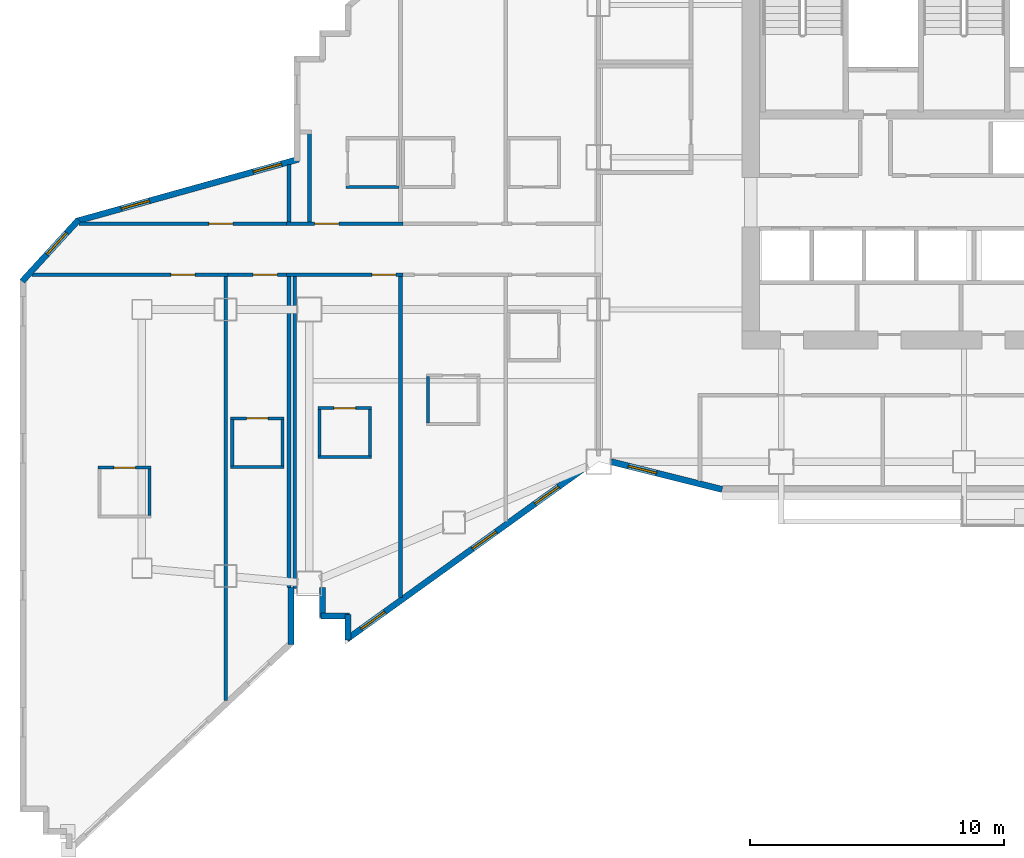
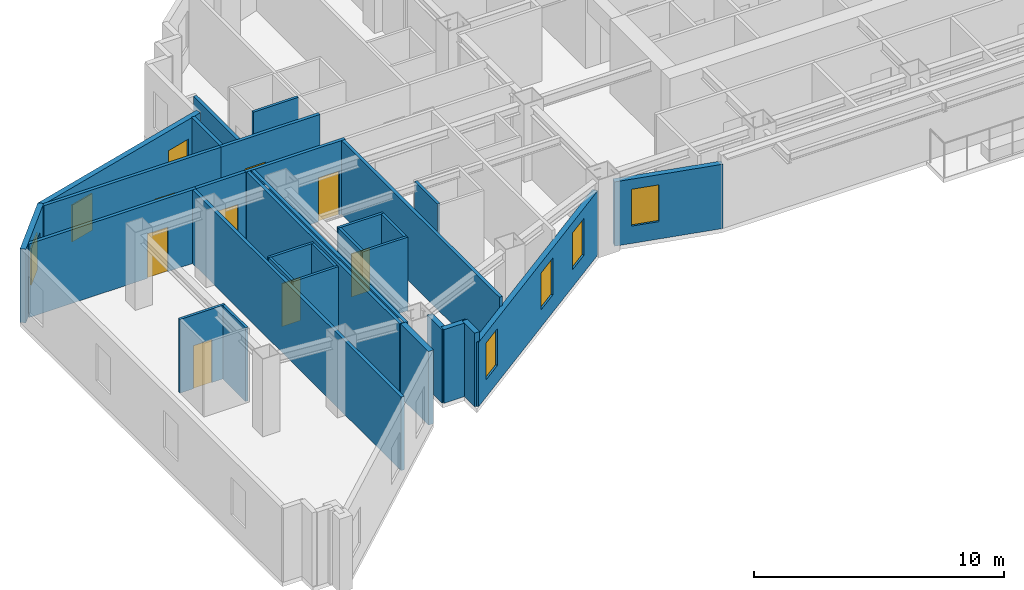
# One storey, part 7 of 15: 31 walls, 8 doors, 7 windows, 15 openings.
"""IFC4 building model written with IfcOpenShell, lengths in metres."""

from ifc_helpers import new_model, si_unit, direction, frame, frame_2d, origin, place, context, subcontext, project, spatial, rectangle, extrude, material, layer, layer_set, type_object, element, fill, save


model = new_model("IFC4")

# Units and contexts
model_context = context("Model", 3, precision=1e-05, world=origin(), true_north=direction((0.0, 1.0)))
body_context = subcontext(model_context, "Body", "Model", "MODEL_VIEW")
ifc_project = project(units=[si_unit("LENGTHUNIT", "METRE"), si_unit("AREAUNIT", "SQUARE_METRE"), si_unit("VOLUMEUNIT", "CUBIC_METRE"), si_unit("PLANEANGLEUNIT", "RADIAN"), si_unit("MASSUNIT", "GRAM", prefix="KILO")], contexts=[model_context])

# Site, building, storey
site_placement = place(None, origin())
site = spatial("IfcSite", under=ifc_project, at=site_placement, CompositionType="ELEMENT")
building_placement = place(site_placement, origin())
building = spatial("IfcBuilding", under=site, at=building_placement, Name="Haolan Belvedere Tower", CompositionType="ELEMENT")
storey_placement = place(building_placement, frame((0.0, 0.0, 152.39990234375)))
storey = spatial("IfcBuildingStorey", under=building, at=storey_placement, Name="L38", CompositionType="ELEMENT", Elevation=152.39990234375)

# Walls
ifc_material_1 = material(Name="Precast concrete C40/50", Category="concrete")
ifc_layer_1 = layer(ifc_material_1, 0.239990234375, Name="Precast concrete C40/50")
ifc_layer_set_1 = layer_set([ifc_layer_1], Name="Precast concrete C40/50")
wall_type_1 = type_object("IfcWallType", Name="WL-EXT-240", PredefinedType="SOLIDWALL", material=ifc_layer_set_1)
wall_1_placement = place(storey_placement, frame((13.1201171875, 16.639892578125, 0.0), z_axis=(0.0, 0.0, 1.0), x_axis=(0.0, -1.0, 0.0)))
element("IfcWall", 1, at=wall_1_placement, inside=storey, type_object=wall_type_1, Name="L38 pale-metal exterior spandrel wall 2.1", PredefinedType="SOLIDWALL", context=body_context, shape_type="SweptSolid", body=[
    extrude(rectangle(XDim=1.1748046875, YDim=0.239990234375, at=frame_2d((0.58740234375, 0.0))), origin(), (0.0, 0.0, 1.0), 3.60009765625),
])
wall_2_placement = place(storey_placement, frame((13.06494140625, 15.52001953125, 0.0), z_axis=(0.0, 0.0, 1.0), x_axis=(1.0, 0.0, 0.0)))
element("IfcWall", 2, at=wall_2_placement, inside=storey, type_object=wall_type_1, Name="L38 pale-metal exterior spandrel wall 3.1", PredefinedType="SOLIDWALL", context=body_context, shape_type="SweptSolid", body=[
    extrude(rectangle(XDim=1.110107421875, YDim=0.239990234375, at=frame_2d((0.55517578125, 0.0))), origin(), (0.0, 0.0, 1.0), 3.60009765625),
])
wall_3_placement = place(storey_placement, frame((14.1201171875, 15.574951171875, 0.0), z_axis=(0.0, 0.0, 1.0), x_axis=(0.0, -1.0, 0.0)))
element("IfcWall", 3, at=wall_3_placement, inside=storey, type_object=wall_type_1, Name="L38 pale-metal exterior spandrel wall 4.1", PredefinedType="SOLIDWALL", context=body_context, shape_type="SweptSolid", body=[
    extrude(rectangle(XDim=0.99560546875, YDim=0.239990234375, at=frame_2d((0.497802734375, 0.0))), origin(), (0.0, 0.0, 1.0), 3.60009765625),
])

# Wall, openings, windows
wall_4_placement = place(storey_placement, frame((14.075439453125, 14.602294921875, 0.0), z_axis=(0.0, 0.0, 1.0), x_axis=(0.811543504691, 0.584291998913, 0.0)))
wall_4 = element("IfcWall", 4, at=wall_4_placement, inside=storey, type_object=wall_type_1, Name="L38 pale-metal exterior spandrel wall 5.1", PredefinedType="SOLIDWALL", context=body_context, shape_type="SweptSolid", body=[
    extrude(rectangle(XDim=11.623046875, YDim=0.239990234375, at=frame_2d((5.8115234375, 0.0))), origin(), (0.0, 0.0, 1.0), 3.14501953125),
])
opening_1_placement = place(wall_4_placement, frame((0.699951171875, 0.0, 0.85009765625)))
opening_1 = element("IfcOpeningElement", 5, at=opening_1_placement, cuts=wall_4, Name="Opening W-02", PredefinedType="OPENING", context=body_context, shape_type="SweptSolid", body=[
    extrude(rectangle(XDim=1.14990234375, YDim=1.800048828125, at=frame_2d((0.574951171875, 0.89990234375))), frame((0.0, 0.1298828125, 0.0), z_axis=(0.0, -1.0, 0.0), x_axis=(1.0, 0.0, 0.0)), (0.0, 0.0, 1.0), 0.260009765625),
])
opening_2_placement = place(wall_4_placement, frame((6.10009765625, 0.0, 0.85009765625)))
opening_2 = element("IfcOpeningElement", 6, at=opening_2_placement, cuts=wall_4, Name="Opening W-02", PredefinedType="OPENING", context=body_context, shape_type="SweptSolid", body=[
    extrude(rectangle(XDim=1.14990234375, YDim=1.800048828125, at=frame_2d((0.574951171875, 0.89990234375))), frame((0.0, 0.1298828125, 0.0), z_axis=(0.0, -1.0, 0.0), x_axis=(1.0, 0.0, 0.0)), (0.0, 0.0, 1.0), 0.260009765625),
])
opening_3_placement = place(wall_4_placement, frame((9.140869140625, 0.0, 0.85009765625)))
opening_3 = element("IfcOpeningElement", 7, at=opening_3_placement, cuts=wall_4, Name="Opening W-02", PredefinedType="OPENING", context=body_context, shape_type="SweptSolid", body=[
    extrude(rectangle(XDim=1.14990234375, YDim=1.800048828125, at=frame_2d((0.574951171875, 0.89990234375))), frame((0.0, 0.1298828125, 0.0), z_axis=(0.0, -1.0, 0.0), x_axis=(1.0, 0.0, 0.0)), (0.0, 0.0, 1.0), 0.260009765625),
])
ifc_material_2 = material(Name="Anodised aluminium 6063-T6 and Low-E glass", Category="aluminium")
window_type = type_object("IfcWindowType", Name="WN-DECO-Z2", PartitioningType="SINGLE_PANEL", PredefinedType="WINDOW", material=ifc_material_2)
window_1_placement = place(opening_1_placement, origin())
window_1 = element("IfcWindow", 8, at=window_1_placement, inside=storey, type_object=window_type, Name="L38 Art Deco chevron window 1", OverallHeight=1.800048828125, OverallWidth=1.14990234375, PartitioningType="SINGLE_PANEL", PredefinedType="WINDOW", context=body_context, shape_type="SweptSolid", body=[
    extrude(rectangle(XDim=1.14990234375, YDim=1.800048828125, at=frame_2d((0.574951171875, 0.89990234375))), frame((0.0, 0.030029296875, 0.0), z_axis=(0.0, -1.0, 0.0), x_axis=(1.0, 0.0, 0.0)), (0.0, 0.0, 1.0), 0.06005859375),
])
fill(opening_1, window_1)
window_2_placement = place(opening_2_placement, origin())
window_2 = element("IfcWindow", 9, at=window_2_placement, inside=storey, type_object=window_type, Name="L38 Art Deco chevron window 2", OverallHeight=1.800048828125, OverallWidth=1.14990234375, PartitioningType="SINGLE_PANEL", PredefinedType="WINDOW", context=body_context, shape_type="SweptSolid", body=[
    extrude(rectangle(XDim=1.14990234375, YDim=1.800048828125, at=frame_2d((0.574951171875, 0.89990234375))), frame((0.0, 0.030029296875, 0.0), z_axis=(0.0, -1.0, 0.0), x_axis=(1.0, 0.0, 0.0)), (0.0, 0.0, 1.0), 0.06005859375),
])
fill(opening_2, window_2)
window_3_placement = place(opening_3_placement, origin())
window_3 = element("IfcWindow", 10, at=window_3_placement, inside=storey, type_object=window_type, Name="L38 Art Deco guestroom window 1", OverallHeight=1.800048828125, OverallWidth=1.14990234375, PartitioningType="SINGLE_PANEL", PredefinedType="WINDOW", context=body_context, shape_type="SweptSolid", body=[
    extrude(rectangle(XDim=1.14990234375, YDim=1.800048828125, at=frame_2d((0.574951171875, 0.89990234375))), frame((0.0, 0.030029296875, 0.0), z_axis=(0.0, -1.0, 0.0), x_axis=(1.0, 0.0, 0.0)), (0.0, 0.0, 1.0), 0.06005859375),
])
fill(opening_3, window_3)

# Wall, opening, window
wall_5_placement = place(storey_placement, frame((24.491943359375, 21.6005859375, 0.0), z_axis=(0.0, 0.0, 1.0), x_axis=(0.970145683738, -0.242522890311, 0.0)))
wall_5 = element("IfcWall", 11, at=wall_5_placement, inside=storey, type_object=wall_type_1, Name="L38 pale-metal exterior spandrel wall 6.1", PredefinedType="SOLIDWALL", context=body_context, shape_type="SweptSolid", body=[
    extrude(rectangle(XDim=4.510986328125, YDim=0.239990234375, at=frame_2d((2.25537109375, 0.0))), origin(), (0.0, 0.0, 1.0), 3.14501953125),
])
opening_4_placement = place(wall_5_placement, frame((0.699951171875, 0.0, 0.85009765625)))
opening_4 = element("IfcOpeningElement", 12, at=opening_4_placement, cuts=wall_5, Name="Opening W-02", PredefinedType="OPENING", context=body_context, shape_type="SweptSolid", body=[
    extrude(rectangle(XDim=1.14990234375, YDim=1.800048828125, at=frame_2d((0.574951171875, 0.89990234375))), frame((0.0, 0.1298828125, 0.0), z_axis=(0.0, -1.0, 0.0), x_axis=(1.0, 0.0, 0.0)), (0.0, 0.0, 1.0), 0.260009765625),
])
window_4_placement = place(opening_4_placement, origin())
window_4 = element("IfcWindow", 13, at=window_4_placement, inside=storey, type_object=window_type, Name="L38 Art Deco chevron window 1", OverallHeight=1.800048828125, OverallWidth=1.14990234375, PartitioningType="SINGLE_PANEL", PredefinedType="WINDOW", context=body_context, shape_type="SweptSolid", body=[
    extrude(rectangle(XDim=1.14990234375, YDim=1.800048828125, at=frame_2d((0.574951171875, 0.89990234375))), frame((0.0, 0.030029296875, 0.0), z_axis=(0.0, -1.0, 0.0), x_axis=(1.0, 0.0, 0.0)), (0.0, 0.0, 1.0), 0.06005859375),
])
fill(opening_4, window_4)

# Wall, openings, windows
wall_6_placement = place(storey_placement, frame((12.173095703125, 33.523681640625, 0.0), z_axis=(0.0, 0.0, 1.0), x_axis=(-0.963197271032, -0.268795493036, 0.0)))
wall_6 = element("IfcWall", 14, at=wall_6_placement, inside=storey, type_object=wall_type_1, Name="L38 pale-metal exterior spandrel wall 42.1", PredefinedType="SOLIDWALL", context=body_context, shape_type="SweptSolid", body=[
    extrude(rectangle(XDim=9.095458984375, YDim=0.239990234375, at=frame_2d((4.5478515625, 0.0))), origin(), (0.0, 0.0, 1.0), 3.60009765625),
])
opening_5_placement = place(wall_6_placement, frame((0.699951171875, 0.0, 0.85009765625)))
opening_5 = element("IfcOpeningElement", 15, at=opening_5_placement, cuts=wall_6, Name="Opening W-02", PredefinedType="OPENING", context=body_context, shape_type="SweptSolid", body=[
    extrude(rectangle(XDim=1.14990234375, YDim=1.800048828125, at=frame_2d((0.574951171875, 0.89990234375))), frame((0.0, 0.1298828125, 0.0), z_axis=(0.0, -1.0, 0.0), x_axis=(1.0, 0.0, 0.0)), (0.0, 0.0, 1.0), 0.260009765625),
])
opening_6_placement = place(wall_6_placement, frame((6.10009765625, 0.0, 0.85009765625)))
opening_6 = element("IfcOpeningElement", 16, at=opening_6_placement, cuts=wall_6, Name="Opening W-02", PredefinedType="OPENING", context=body_context, shape_type="SweptSolid", body=[
    extrude(rectangle(XDim=1.14990234375, YDim=1.800048828125, at=frame_2d((0.574951171875, 0.89990234375))), frame((0.0, 0.1298828125, 0.0), z_axis=(0.0, -1.0, 0.0), x_axis=(1.0, 0.0, 0.0)), (0.0, 0.0, 1.0), 0.260009765625),
])
window_5_placement = place(opening_5_placement, origin())
window_5 = element("IfcWindow", 17, at=window_5_placement, inside=storey, type_object=window_type, Name="L38 Art Deco chevron window 1", OverallHeight=1.800048828125, OverallWidth=1.14990234375, PartitioningType="SINGLE_PANEL", PredefinedType="WINDOW", context=body_context, shape_type="SweptSolid", body=[
    extrude(rectangle(XDim=1.14990234375, YDim=1.800048828125, at=frame_2d((0.574951171875, 0.89990234375))), frame((0.0, 0.030029296875, 0.0), z_axis=(0.0, -1.0, 0.0), x_axis=(1.0, 0.0, 0.0)), (0.0, 0.0, 1.0), 0.06005859375),
])
fill(opening_5, window_5)
window_6_placement = place(opening_6_placement, origin())
window_6 = element("IfcWindow", 18, at=window_6_placement, inside=storey, type_object=window_type, Name="L38 Art Deco chevron window 2", OverallHeight=1.800048828125, OverallWidth=1.14990234375, PartitioningType="SINGLE_PANEL", PredefinedType="WINDOW", context=body_context, shape_type="SweptSolid", body=[
    extrude(rectangle(XDim=1.14990234375, YDim=1.800048828125, at=frame_2d((0.574951171875, 0.89990234375))), frame((0.0, 0.030029296875, 0.0), z_axis=(0.0, -1.0, 0.0), x_axis=(1.0, 0.0, 0.0)), (0.0, 0.0, 1.0), 0.06005859375),
])
fill(opening_6, window_6)

# Wall, opening, window
wall_7_placement = place(storey_placement, frame((3.50244140625, 31.134033203125, 0.0), z_axis=(0.0, 0.0, 1.0), x_axis=(-0.675781844312, -0.737101688302, 0.0)))
wall_7 = element("IfcWall", 19, at=wall_7_placement, inside=storey, type_object=wall_type_1, Name="L38 pale-metal exterior spandrel wall 43.1", PredefinedType="SOLIDWALL", context=body_context, shape_type="SweptSolid", body=[
    extrude(rectangle(XDim=3.28466796875, YDim=0.239990234375, at=frame_2d((1.642333984375, 0.0))), origin(), (0.0, 0.0, 1.0), 3.60009765625),
])
opening_7_placement = place(wall_7_placement, frame((0.699951171875, 0.0, 0.85009765625)))
opening_7 = element("IfcOpeningElement", 20, at=opening_7_placement, cuts=wall_7, Name="Opening W-02", PredefinedType="OPENING", context=body_context, shape_type="SweptSolid", body=[
    extrude(rectangle(XDim=1.14990234375, YDim=1.800048828125, at=frame_2d((0.574951171875, 0.89990234375))), frame((0.0, 0.1298828125, 0.0), z_axis=(0.0, -1.0, 0.0), x_axis=(1.0, 0.0, 0.0)), (0.0, 0.0, 1.0), 0.260009765625),
])
window_7_placement = place(opening_7_placement, origin())
window_7 = element("IfcWindow", 21, at=window_7_placement, inside=storey, type_object=window_type, Name="L38 Art Deco chevron window 1", OverallHeight=1.800048828125, OverallWidth=1.14990234375, PartitioningType="SINGLE_PANEL", PredefinedType="WINDOW", context=body_context, shape_type="SweptSolid", body=[
    extrude(rectangle(XDim=1.14990234375, YDim=1.800048828125, at=frame_2d((0.574951171875, 0.89990234375))), frame((0.0, 0.030029296875, 0.0), z_axis=(0.0, -1.0, 0.0), x_axis=(1.0, 0.0, 0.0)), (0.0, 0.0, 1.0), 0.06005859375),
])
fill(opening_7, window_7)

# Wall
wall_8_placement = place(storey_placement, frame((11.8798828125, 14.397216796875, 0.0), z_axis=(0.0, 0.0, 1.0), x_axis=(0.0, 1.0, 0.0)))
element("IfcWall", 22, at=wall_8_placement, inside=storey, type_object=wall_type_1, Name="L38 pale-metal exterior spandrel wall 50.1", PredefinedType="SOLIDWALL", context=body_context, shape_type="SweptSolid", body=[
    extrude(rectangle(XDim=2.24267578125, YDim=0.239990234375, at=frame_2d((1.121337890625, 0.0))), origin(), (0.0, 0.0, 1.0), 3.60009765625),
])

# Wall, opening, door
ifc_material_3 = material(Name="Double gypsum acoustic stud partition", Category="masonry")
ifc_layer_2 = layer(ifc_material_3, 0.14990234375, Name="Double gypsum acoustic stud partition")
ifc_layer_set_2 = layer_set([ifc_layer_2], Name="Double gypsum acoustic stud partition")
wall_type_2 = type_object("IfcWallType", Name="WL-PART-150", PredefinedType="PARTITIONING", material=ifc_layer_set_2)
wall_9_placement = place(storey_placement, frame((11.699951171875, 30.97998046875, 0.0), z_axis=(0.0, 0.0, 1.0), x_axis=(1.0, 0.0, 0.0)))
wall_9 = element("IfcWall", 23, at=wall_9_placement, inside=storey, type_object=wall_type_2, Name="L38 interior partition IW-L38-T2N1-S", PredefinedType="PARTITIONING", context=body_context, shape_type="SweptSolid", body=[
    extrude(rectangle(XDim=4.590087890625, YDim=0.14990234375, at=frame_2d((2.294921875, 0.0))), origin(), (0.0, 0.0, 1.0), 3.60009765625),
])
opening_8_placement = place(wall_9_placement, frame((1.108642578125, 0.0, 0.0)))
opening_8 = element("IfcOpeningElement", 24, at=opening_8_placement, cuts=wall_9, Name="Opening ID-02", PredefinedType="OPENING", context=body_context, shape_type="SweptSolid", body=[
    extrude(rectangle(XDim=0.949951171875, YDim=2.14990234375, at=frame_2d((0.47509765625, 1.074951171875))), frame((0.0, 0.0849609375, 0.0), z_axis=(0.0, -1.0, 0.0), x_axis=(1.0, 0.0, 0.0)), (0.0, 0.0, 1.0), 0.169921875),
])
ifc_material_4 = material(Name="Acoustic oak veneer fire-rated timber", Category="wood")
door_type_1 = type_object("IfcDoorType", Name="DR-GUEST-950", OperationType="NOTDEFINED", PredefinedType="DOOR", material=ifc_material_4)
door_1_placement = place(opening_8_placement, origin())
door_1 = element("IfcDoor", 25, at=door_1_placement, inside=storey, type_object=door_type_1, Name="L38 door ID-L38-T2N1-ENT", OperationType="SINGLE_SWING_RIGHT", OverallHeight=2.14990234375, OverallWidth=0.949951171875, PredefinedType="DOOR", context=body_context, shape_type="SweptSolid", body=[
    extrude(rectangle(XDim=0.949951171875, YDim=2.14990234375, at=frame_2d((0.47509765625, 1.074951171875))), frame((0.0, 0.02490234375, 0.0), z_axis=(0.0, -1.0, 0.0), x_axis=(1.0, 0.0, 0.0)), (0.0, 0.0, 1.0), 0.050048828125),
])
fill(opening_8, door_1)

# Wall
wall_10_placement = place(storey_placement, frame((11.800048828125, 31.0400390625, 0.0), z_axis=(0.0, 0.0, 1.0), x_axis=(0.0, 1.0, 0.0)))
element("IfcWall", 26, at=wall_10_placement, inside=storey, type_object=wall_type_2, Name="L38 interior partition IW-L38-T2N1-W", PredefinedType="PARTITIONING", context=body_context, shape_type="SweptSolid", body=[
    extrude(rectangle(XDim=2.2705078125, YDim=0.14990234375, at=frame_2d((1.13525390625, 0.0))), origin(), (0.0, 0.0, 1.0), 3.60009765625),
])

# Wall, opening, door
wall_11_placement = place(storey_placement, frame((11.699951171875, 28.969970703125, 0.0), z_axis=(0.0, 0.0, 1.0), x_axis=(1.0, 0.0, 0.0)))
wall_11 = element("IfcWall", 27, at=wall_11_placement, inside=storey, type_object=wall_type_2, Name="L38 interior partition IW-L38-T2S1-N", PredefinedType="PARTITIONING", context=body_context, shape_type="SweptSolid", body=[
    extrude(rectangle(XDim=4.590087890625, YDim=0.14990234375, at=frame_2d((2.294921875, 0.0))), origin(), (0.0, 0.0, 1.0), 3.60009765625),
])
opening_9_placement = place(wall_11_placement, frame((4.311279296875, 0.0, 0.0), z_axis=(0.0, 0.0, 1.0), x_axis=(-1.0, 0.0, 0.0)))
opening_9 = element("IfcOpeningElement", 28, at=opening_9_placement, cuts=wall_11, Name="Opening ID-02", PredefinedType="OPENING", context=body_context, shape_type="SweptSolid", body=[
    extrude(rectangle(XDim=0.949951171875, YDim=2.14990234375, at=frame_2d((0.47509765625, 1.074951171875))), frame((0.0, 0.0849609375, 0.0), z_axis=(0.0, -1.0, 0.0), x_axis=(1.0, 0.0, 0.0)), (0.0, 0.0, 1.0), 0.169921875),
])
door_2_placement = place(opening_9_placement, origin())
door_2 = element("IfcDoor", 29, at=door_2_placement, inside=storey, type_object=door_type_1, Name="L38 door ID-L38-T2S1-ENT", OperationType="SINGLE_SWING_LEFT", OverallHeight=2.14990234375, OverallWidth=0.949951171875, PredefinedType="DOOR", context=body_context, shape_type="SweptSolid", body=[
    extrude(rectangle(XDim=0.949951171875, YDim=2.14990234375, at=frame_2d((0.47509765625, 1.074951171875))), frame((0.0, 0.02490234375, 0.0), z_axis=(0.0, -1.0, 0.0), x_axis=(1.0, 0.0, 0.0)), (0.0, 0.0, 1.0), 0.050048828125),
])
fill(opening_9, door_2)

# Walls
wall_12_placement = place(storey_placement, frame((11.800048828125, 16.64208984375, 0.0), z_axis=(0.0, 0.0, 1.0), x_axis=(0.0, 1.0, 0.0)))
element("IfcWall", 30, at=wall_12_placement, inside=storey, type_object=wall_type_2, Name="L38 interior partition IW-L38-T2S1-W", PredefinedType="PARTITIONING", context=body_context, shape_type="SweptSolid", body=[
    extrude(rectangle(XDim=12.267822265625, YDim=0.14990234375, at=frame_2d((6.1337890625, 0.0))), origin(), (0.0, 0.0, 1.0), 3.60009765625),
])
wall_13_placement = place(storey_placement, frame((16.18994140625, 16.254150390625, 0.0), z_axis=(0.0, 0.0, 1.0), x_axis=(0.0, 1.0, 0.0)))
element("IfcWall", 31, at=wall_13_placement, inside=storey, type_object=wall_type_2, Name="L38 interior partition IW-L38-T2S1-E", PredefinedType="PARTITIONING", context=body_context, shape_type="SweptSolid", body=[
    extrude(rectangle(XDim=12.65576171875, YDim=0.14990234375, at=frame_2d((6.327880859375, 0.0))), origin(), (0.0, 0.0, 1.0), 3.60009765625),
])

# Wall, opening, door
wall_14_placement = place(storey_placement, frame((1.660888671875, 28.969970703125, 0.0), z_axis=(0.0, 0.0, 1.0), x_axis=(1.0, 0.0, 0.0)))
wall_14 = element("IfcWall", 32, at=wall_14_placement, inside=storey, type_object=wall_type_2, Name="L38 interior partition IW-L38-T1S1-N", PredefinedType="PARTITIONING", context=body_context, shape_type="SweptSolid", body=[
    extrude(rectangle(XDim=7.739013671875, YDim=0.14990234375, at=frame_2d((3.86962890625, 0.0))), origin(), (0.0, 0.0, 1.0), 3.60009765625),
])
opening_10_placement = place(wall_14_placement, frame((6.434326171875, 0.0, 0.0), z_axis=(0.0, 0.0, 1.0), x_axis=(-1.0, 0.0, 0.0)))
opening_10 = element("IfcOpeningElement", 33, at=opening_10_placement, cuts=wall_14, Name="Opening ID-01", PredefinedType="OPENING", context=body_context, shape_type="SweptSolid", body=[
    extrude(rectangle(XDim=0.949951171875, YDim=2.179931640625, at=frame_2d((0.47509765625, 1.08984375))), frame((0.0, 0.0849609375, 0.0), z_axis=(0.0, -1.0, 0.0), x_axis=(1.0, 0.0, 0.0)), (0.0, 0.0, 1.0), 0.169921875),
])
ifc_material_5 = material(Name="Acoustic walnut veneer fire-rated timber", Category="wood")
door_type_2 = type_object("IfcDoorType", Name="DR-SUITE-950", OperationType="NOTDEFINED", PredefinedType="DOOR", material=ifc_material_5)
door_3_placement = place(opening_10_placement, origin())
door_3 = element("IfcDoor", 34, at=door_3_placement, inside=storey, type_object=door_type_2, Name="L38 door ID-L38-T1S1-ENT", OperationType="SINGLE_SWING_RIGHT", OverallHeight=2.179931640625, OverallWidth=0.949951171875, PredefinedType="DOOR", context=body_context, shape_type="SweptSolid", body=[
    extrude(rectangle(XDim=0.949951171875, YDim=2.179931640625, at=frame_2d((0.47509765625, 1.08984375))), frame((0.0, 0.02490234375, 0.0), z_axis=(0.0, -1.0, 0.0), x_axis=(1.0, 0.0, 0.0)), (0.0, 0.0, 1.0), 0.050048828125),
])
fill(opening_10, door_3)

# Wall
wall_15_placement = place(storey_placement, frame((9.300048828125, 12.187744140625, 0.0), z_axis=(0.0, 0.0, 1.0), x_axis=(0.0, 1.0, 0.0)))
element("IfcWall", 35, at=wall_15_placement, inside=storey, type_object=wall_type_2, Name="L38 interior partition IW-L38-T1S1-E", PredefinedType="PARTITIONING", context=body_context, shape_type="SweptSolid", body=[
    extrude(rectangle(XDim=16.72216796875, YDim=0.14990234375, at=frame_2d((8.361083984375, 0.0))), origin(), (0.0, 0.0, 1.0), 3.60009765625),
])

# Wall, opening, door
wall_16_placement = place(storey_placement, frame((9.402099609375, 28.969970703125, 0.0), z_axis=(0.0, 0.0, 1.0), x_axis=(1.0, 0.0, 0.0)))
wall_16 = element("IfcWall", 36, at=wall_16_placement, inside=storey, type_object=wall_type_2, Name="L38 interior partition IW-L38-T1S2-N", PredefinedType="PARTITIONING", context=body_context, shape_type="SweptSolid", body=[
    extrude(rectangle(XDim=2.2958984375, YDim=0.14990234375, at=frame_2d((1.14794921875, 0.0))), origin(), (0.0, 0.0, 1.0), 3.60009765625),
])
opening_11_placement = place(wall_16_placement, frame((1.93408203125, 0.0, 0.0), z_axis=(0.0, 0.0, 1.0), x_axis=(-1.0, 0.0, 0.0)))
opening_11 = element("IfcOpeningElement", 37, at=opening_11_placement, cuts=wall_16, Name="Opening ID-02", PredefinedType="OPENING", context=body_context, shape_type="SweptSolid", body=[
    extrude(rectangle(XDim=0.949951171875, YDim=2.14990234375, at=frame_2d((0.47509765625, 1.074951171875))), frame((0.0, 0.0849609375, 0.0), z_axis=(0.0, -1.0, 0.0), x_axis=(1.0, 0.0, 0.0)), (0.0, 0.0, 1.0), 0.169921875),
])
door_4_placement = place(opening_11_placement, origin())
door_4 = element("IfcDoor", 38, at=door_4_placement, inside=storey, type_object=door_type_1, Name="L38 door ID-L38-T1S2-ENT", OperationType="SINGLE_SWING_LEFT", OverallHeight=2.14990234375, OverallWidth=0.949951171875, PredefinedType="DOOR", context=body_context, shape_type="SweptSolid", body=[
    extrude(rectangle(XDim=0.949951171875, YDim=2.14990234375, at=frame_2d((0.47509765625, 1.074951171875))), frame((0.0, 0.02490234375, 0.0), z_axis=(0.0, -1.0, 0.0), x_axis=(1.0, 0.0, 0.0)), (0.0, 0.0, 1.0), 0.050048828125),
])
fill(opening_11, door_4)

# Wall
wall_17_placement = place(storey_placement, frame((12.02001953125, 16.612060546875, 0.0), z_axis=(0.0, 0.0, 1.0), x_axis=(0.0, 1.0, 0.0)))
element("IfcWall", 39, at=wall_17_placement, inside=storey, type_object=wall_type_2, Name="L38 interior partition IW-L38-T1S2-E", PredefinedType="PARTITIONING", context=body_context, shape_type="SweptSolid", body=[
    extrude(rectangle(XDim=12.2978515625, YDim=0.14990234375, at=frame_2d((6.14892578125, 0.0))), origin(), (0.0, 0.0, 1.0), 3.60009765625),
])

# Wall, opening, door
wall_18_placement = place(storey_placement, frame((3.51220703125, 30.97998046875, 0.0), z_axis=(0.0, 0.0, 1.0), x_axis=(1.0, 0.0, 0.0)))
wall_18 = element("IfcWall", 40, at=wall_18_placement, inside=storey, type_object=wall_type_2, Name="L38 interior partition IW-L38-T1N1-S", PredefinedType="PARTITIONING", context=body_context, shape_type="SweptSolid", body=[
    extrude(rectangle(XDim=8.185791015625, YDim=0.14990234375, at=frame_2d((4.0927734375, 0.0))), origin(), (0.0, 0.0, 1.0), 3.60009765625),
])
opening_12_placement = place(wall_18_placement, frame((5.12548828125, 0.0, 0.0)))
opening_12 = element("IfcOpeningElement", 41, at=opening_12_placement, cuts=wall_18, Name="Opening ID-03", PredefinedType="OPENING", context=body_context, shape_type="SweptSolid", body=[
    extrude(rectangle(XDim=0.949951171875, YDim=2.1201171875, at=frame_2d((0.47509765625, 1.06005859375))), frame((0.0, 0.0849609375, 0.0), z_axis=(0.0, -1.0, 0.0), x_axis=(1.0, 0.0, 0.0)), (0.0, 0.0, 1.0), 0.169921875),
])
ifc_material_6 = material(Name="Painted solid-core timber", Category="wood")
door_type_3 = type_object("IfcDoorType", Name="DR-INT-950", OperationType="NOTDEFINED", PredefinedType="DOOR", material=ifc_material_6)
door_5_placement = place(opening_12_placement, origin())
door_5 = element("IfcDoor", 42, at=door_5_placement, inside=storey, type_object=door_type_3, Name="L38 door ID-L38-T1N1", OperationType="SINGLE_SWING_RIGHT", OverallHeight=2.1201171875, OverallWidth=0.949951171875, PredefinedType="DOOR", context=body_context, shape_type="SweptSolid", body=[
    extrude(rectangle(XDim=0.949951171875, YDim=2.1201171875, at=frame_2d((0.47509765625, 1.06005859375))), frame((0.0, 0.02490234375, 0.0), z_axis=(0.0, -1.0, 0.0), x_axis=(1.0, 0.0, 0.0)), (0.0, 0.0, 1.0), 0.050048828125),
])
fill(opening_12, door_5)

# Walls
wall_19_placement = place(storey_placement, frame((12.60009765625, 31.0400390625, 0.0), z_axis=(0.0, 0.0, 1.0), x_axis=(0.0, 1.0, 0.0)))
element("IfcWall", 43, at=wall_19_placement, inside=storey, type_object=wall_type_2, Name="L38 interior partition IW-L38-T1N1-E", PredefinedType="PARTITIONING", context=body_context, shape_type="SweptSolid", body=[
    extrude(rectangle(XDim=3.5, YDim=0.14990234375, at=frame_2d((1.75, 0.0))), origin(), (0.0, 0.0, 1.0), 3.60009765625),
])
ifc_material_7 = material(Name="Moisture-resistant gypsum tile partition", Category="masonry")
ifc_layer_3 = layer(ifc_material_7, 0.1201171875, Name="Moisture-resistant gypsum tile partition")
ifc_layer_set_3 = layer_set([ifc_layer_3], Name="Moisture-resistant gypsum tile partition")
wall_type_3 = type_object("IfcWallType", Name="WL-WET-120", PredefinedType="PARTITIONING", material=ifc_layer_set_3)
wall_20_placement = place(storey_placement, frame((14.050048828125, 32.429931640625, 0.0), z_axis=(0.0, 0.0, 1.0), x_axis=(1.0, 0.0, 0.0)))
element("IfcWall", 44, at=wall_20_placement, inside=storey, type_object=wall_type_3, Name="L38 interior partition IW-L38-T2N1-BS", PredefinedType="PARTITIONING", context=body_context, shape_type="SweptSolid", body=[
    extrude(rectangle(XDim=2.079833984375, YDim=0.1201171875, at=frame_2d((1.0400390625, 0.0))), origin(), (0.0, 0.0, 1.0), 3.60009765625),
])

# Wall, opening, door
wall_21_placement = place(storey_placement, frame((12.945068359375, 23.7099609375, 0.0), z_axis=(0.0, 0.0, 1.0), x_axis=(1.0, 0.0, 0.0)))
wall_21 = element("IfcWall", 45, at=wall_21_placement, inside=storey, type_object=wall_type_3, Name="L38 interior partition IW-L38-T2S1-BN", PredefinedType="PARTITIONING", context=body_context, shape_type="SweptSolid", body=[
    extrude(rectangle(XDim=2.099853515625, YDim=0.1201171875, at=frame_2d((1.0498046875, 0.0))), origin(), (0.0, 0.0, 1.0), 3.60009765625),
])
opening_13_placement = place(wall_21_placement, frame((1.47509765625, 0.0, 0.0), z_axis=(0.0, 0.0, 1.0), x_axis=(-1.0, 0.0, 0.0)))
opening_13 = element("IfcOpeningElement", 46, at=opening_13_placement, cuts=wall_21, Name="Opening ID-05", PredefinedType="OPENING", context=body_context, shape_type="SweptSolid", body=[
    extrude(rectangle(XDim=0.85009765625, YDim=2.10009765625, at=frame_2d((0.425048828125, 1.050048828125))), frame((0.0, 0.070068359375, 0.0), z_axis=(0.0, -1.0, 0.0), x_axis=(1.0, 0.0, 0.0)), (0.0, 0.0, 1.0), 0.14013671875),
])
ifc_material_8 = material(Name="Moisture-resistant lacquered timber", Category="wood")
door_type_4 = type_object("IfcDoorType", Name="DR-BATH-850", OperationType="NOTDEFINED", PredefinedType="DOOR", material=ifc_material_8)
door_6_placement = place(opening_13_placement, origin())
door_6 = element("IfcDoor", 47, at=door_6_placement, inside=storey, type_object=door_type_4, Name="L38 door ID-L38-T2S1-BATH", OperationType="SINGLE_SWING_RIGHT", OverallHeight=2.10009765625, OverallWidth=0.85009765625, PredefinedType="DOOR", context=body_context, shape_type="SweptSolid", body=[
    extrude(rectangle(XDim=0.85009765625, YDim=2.10009765625, at=frame_2d((0.425048828125, 1.050048828125))), frame((0.0, 0.02490234375, 0.0), z_axis=(0.0, -1.0, 0.0), x_axis=(1.0, 0.0, 0.0)), (0.0, 0.0, 1.0), 0.050048828125),
])
fill(opening_13, door_6)

# Walls
wall_22_placement = place(storey_placement, frame((12.945068359375, 21.7900390625, 0.0), z_axis=(0.0, 0.0, 1.0), x_axis=(1.0, 0.0, 0.0)))
element("IfcWall", 48, at=wall_22_placement, inside=storey, type_object=wall_type_3, Name="L38 interior partition IW-L38-T2S1-BS", PredefinedType="PARTITIONING", context=body_context, shape_type="SweptSolid", body=[
    extrude(rectangle(XDim=2.099853515625, YDim=0.1201171875, at=frame_2d((1.0498046875, 0.0))), origin(), (0.0, 0.0, 1.0), 3.60009765625),
])
for number, where, z_axis, x_axis, name in (
    (49, (13.0048828125, 21.8349609375, 0.0), (0.0, 0.0, 1.0), (0.0, 1.0, 0.0), "L38 interior partition IW-L38-T2S1-BW"),
    (50, (14.985107421875, 21.8349609375, 0.0), (0.0, 0.0, 1.0), (0.0, 1.0, 0.0), "L38 interior partition IW-L38-T2S1-BE"),
):
    element("IfcWall", number, at=place(storey_placement, frame(where, z_axis=z_axis, x_axis=x_axis)), inside=storey, type_object=wall_type_3, Name=name, PredefinedType="PARTITIONING", context=body_context, shape_type="SweptSolid", body=[
        extrude(rectangle(XDim=1.830078125, YDim=0.1201171875, at=frame_2d((0.9150390625, 0.0))), origin(), (0.0, 0.0, 1.0), 3.60009765625),
    ])
wall_23_placement = place(storey_placement, frame((17.282958984375, 23.132080078125, 0.0), z_axis=(0.0, 0.0, 1.0), x_axis=(0.0, 1.0, 0.0)))
element("IfcWall", 51, at=wall_23_placement, inside=storey, type_object=wall_type_3, Name="L38 interior partition IW-L38-T2S2-BW", PredefinedType="PARTITIONING", context=body_context, shape_type="SweptSolid", body=[
    extrude(rectangle(XDim=1.829833984375, YDim=0.1201171875, at=frame_2d((0.9150390625, 0.0))), origin(), (0.0, 0.0, 1.0), 3.60009765625),
])

# Wall, opening, door
wall_24_placement = place(storey_placement, frame((4.264892578125, 21.364013671875, 0.0), z_axis=(0.0, 0.0, 1.0), x_axis=(1.0, 0.0, 0.0)))
wall_24 = element("IfcWall", 52, at=wall_24_placement, inside=storey, type_object=wall_type_3, Name="L38 interior partition IW-L38-T1S1-BN", PredefinedType="PARTITIONING", context=body_context, shape_type="SweptSolid", body=[
    extrude(rectangle(XDim=2.10009765625, YDim=0.1201171875, at=frame_2d((1.050048828125, 0.0))), origin(), (0.0, 0.0, 1.0), 3.60009765625),
])
opening_14_placement = place(wall_24_placement, frame((1.47509765625, 0.0, 0.0), z_axis=(0.0, 0.0, 1.0), x_axis=(-1.0, 0.0, 0.0)))
opening_14 = element("IfcOpeningElement", 53, at=opening_14_placement, cuts=wall_24, Name="Opening ID-05", PredefinedType="OPENING", context=body_context, shape_type="SweptSolid", body=[
    extrude(rectangle(XDim=0.85009765625, YDim=2.10009765625, at=frame_2d((0.425048828125, 1.050048828125))), frame((0.0, 0.070068359375, 0.0), z_axis=(0.0, -1.0, 0.0), x_axis=(1.0, 0.0, 0.0)), (0.0, 0.0, 1.0), 0.14013671875),
])
door_7_placement = place(opening_14_placement, origin())
door_7 = element("IfcDoor", 54, at=door_7_placement, inside=storey, type_object=door_type_4, Name="L38 door ID-L38-T1S1-BATH", OperationType="SINGLE_SWING_LEFT", OverallHeight=2.10009765625, OverallWidth=0.85009765625, PredefinedType="DOOR", context=body_context, shape_type="SweptSolid", body=[
    extrude(rectangle(XDim=0.85009765625, YDim=2.10009765625, at=frame_2d((0.425048828125, 1.050048828125))), frame((0.0, 0.02490234375, 0.0), z_axis=(0.0, -1.0, 0.0), x_axis=(1.0, 0.0, 0.0)), (0.0, 0.0, 1.0), 0.050048828125),
])
fill(opening_14, door_7)

# Wall
wall_25_placement = place(storey_placement, frame((6.304931640625, 19.489013671875, 0.0), z_axis=(0.0, 0.0, 1.0), x_axis=(0.0, 1.0, 0.0)))
element("IfcWall", 55, at=wall_25_placement, inside=storey, type_object=wall_type_3, Name="L38 interior partition IW-L38-T1S1-BE", PredefinedType="PARTITIONING", context=body_context, shape_type="SweptSolid", body=[
    extrude(rectangle(XDim=1.830078125, YDim=0.1201171875, at=frame_2d((0.9150390625, 0.0))), origin(), (0.0, 0.0, 1.0), 3.60009765625),
])

# Wall, opening, door
wall_26_placement = place(storey_placement, frame((9.5, 23.31005859375, 0.0), z_axis=(0.0, 0.0, 1.0), x_axis=(1.0, 0.0, 0.0)))
wall_26 = element("IfcWall", 56, at=wall_26_placement, inside=storey, type_object=wall_type_3, Name="L38 interior partition IW-L38-T1S2-BN", PredefinedType="PARTITIONING", context=body_context, shape_type="SweptSolid", body=[
    extrude(rectangle(XDim=2.10009765625, YDim=0.1201171875, at=frame_2d((1.050048828125, 0.0))), origin(), (0.0, 0.0, 1.0), 3.60009765625),
])
opening_15_placement = place(wall_26_placement, frame((1.47509765625, 0.0, 0.0), z_axis=(0.0, 0.0, 1.0), x_axis=(-1.0, 0.0, 0.0)))
opening_15 = element("IfcOpeningElement", 57, at=opening_15_placement, cuts=wall_26, Name="Opening ID-05", PredefinedType="OPENING", context=body_context, shape_type="SweptSolid", body=[
    extrude(rectangle(XDim=0.85009765625, YDim=2.10009765625, at=frame_2d((0.425048828125, 1.050048828125))), frame((0.0, 0.070068359375, 0.0), z_axis=(0.0, -1.0, 0.0), x_axis=(1.0, 0.0, 0.0)), (0.0, 0.0, 1.0), 0.14013671875),
])
door_8_placement = place(opening_15_placement, origin())
door_8 = element("IfcDoor", 58, at=door_8_placement, inside=storey, type_object=door_type_4, Name="L38 door ID-L38-T1S2-BATH", OperationType="SINGLE_SWING_RIGHT", OverallHeight=2.10009765625, OverallWidth=0.85009765625, PredefinedType="DOOR", context=body_context, shape_type="SweptSolid", body=[
    extrude(rectangle(XDim=0.85009765625, YDim=2.10009765625, at=frame_2d((0.425048828125, 1.050048828125))), frame((0.0, 0.02490234375, 0.0), z_axis=(0.0, -1.0, 0.0), x_axis=(1.0, 0.0, 0.0)), (0.0, 0.0, 1.0), 0.050048828125),
])
fill(opening_15, door_8)

# Walls
wall_27_placement = place(storey_placement, frame((9.5, 21.389892578125, 0.0), z_axis=(0.0, 0.0, 1.0), x_axis=(1.0, 0.0, 0.0)))
element("IfcWall", 59, at=wall_27_placement, inside=storey, type_object=wall_type_3, Name="L38 interior partition IW-L38-T1S2-BS", PredefinedType="PARTITIONING", context=body_context, shape_type="SweptSolid", body=[
    extrude(rectangle(XDim=2.10009765625, YDim=0.1201171875, at=frame_2d((1.050048828125, 0.0))), origin(), (0.0, 0.0, 1.0), 3.60009765625),
])
for number, where, z_axis, x_axis, name in (
    (60, (9.56005859375, 21.43505859375, 0.0), (0.0, 0.0, 1.0), (0.0, 1.0, 0.0), "L38 interior partition IW-L38-T1S2-BW"),
    (61, (11.5400390625, 21.43505859375, 0.0), (0.0, 0.0, 1.0), (0.0, 1.0, 0.0), "L38 interior partition IW-L38-T1S2-BE"),
):
    element("IfcWall", number, at=place(storey_placement, frame(where, z_axis=z_axis, x_axis=x_axis)), inside=storey, type_object=wall_type_3, Name=name, PredefinedType="PARTITIONING", context=body_context, shape_type="SweptSolid", body=[
        extrude(rectangle(XDim=1.829833984375, YDim=0.1201171875, at=frame_2d((0.9150390625, 0.0))), origin(), (0.0, 0.0, 1.0), 3.60009765625),
    ])

save(model, "model.ifc")
